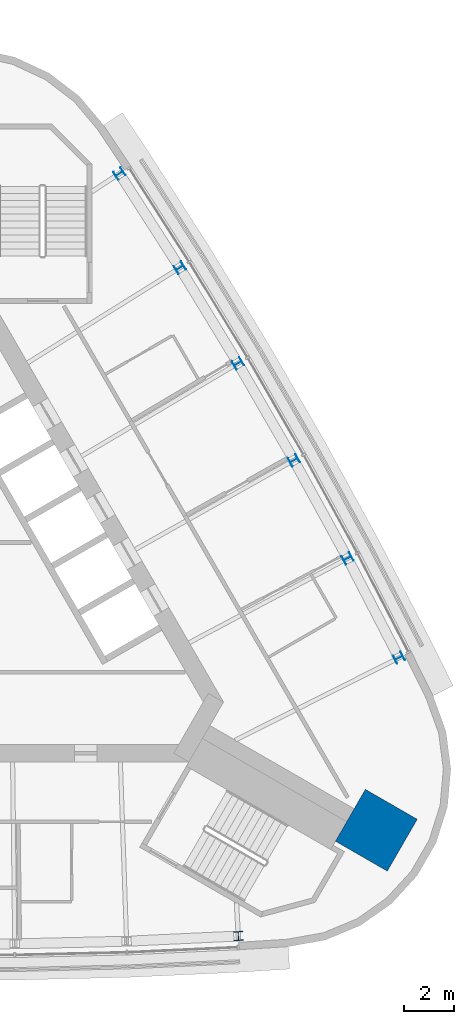
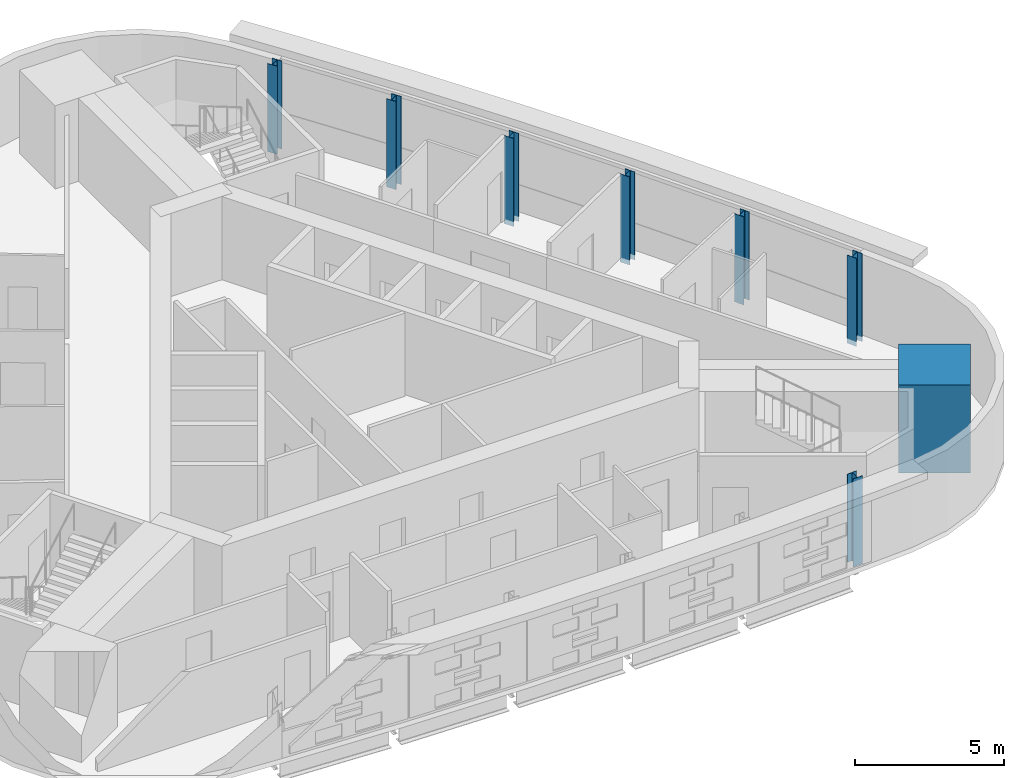
# One storey, part 2 of 13: 8 columns.
"""IFC4 building model written with IfcOpenShell, lengths in metres."""

from ifc_helpers import new_model, si_unit, direction, frame, origin, origin_2d, place, context, subcontext, project, spatial, rectangle, i_section, extrude, material, material_profile, profile_set, type_object, element, save


model = new_model("IFC4")

# Units and contexts
model_context = context("Model", 3, precision=1e-05, world=origin(), true_north=direction((0.0, 1.0)))
body_context = subcontext(model_context, "Body", "Model", "MODEL_VIEW")
ifc_project = project(units=[si_unit("LENGTHUNIT", "METRE"), si_unit("AREAUNIT", "SQUARE_METRE"), si_unit("VOLUMEUNIT", "CUBIC_METRE"), si_unit("PLANEANGLEUNIT", "RADIAN"), si_unit("MASSUNIT", "GRAM", prefix="KILO")], contexts=[model_context])

# Site, building, storey
site_placement = place(None, origin())
site = spatial("IfcSite", under=ifc_project, at=site_placement, CompositionType="ELEMENT")
building_placement = place(site_placement, origin())
building = spatial("IfcBuilding", under=site, at=building_placement, Name="Noor Cloister Tower", CompositionType="ELEMENT")
storey_placement = place(building_placement, frame((0.0, 0.0, 263.39990234375)))
storey = spatial("IfcBuildingStorey", under=building, at=storey_placement, Name="L67", CompositionType="ELEMENT", Elevation=263.39990234375)

# Columns
ifc_material_1 = material(Name="Steel ASTM A992 Gr 50", Category="steel")
ifc_material_profile_1 = material_profile(ifc_material_1, i_section(OverallWidth=0.37109375, OverallDepth=0.361083984375, WebThickness=0.01220703125, FlangeThickness=0.019775390625, FilletRadius=0.015380859375, at=origin_2d()), Name="W360x147")
ifc_profile_set_1 = profile_set([ifc_material_profile_1], Name="Steel ASTM A992 Gr 50")
column_type_1 = type_object("IfcColumnType", Name="Column W360x147", PredefinedType="COLUMN", material=ifc_profile_set_1)
for number, where, z_axis, x_axis, name in (
    (1, (11.2119140625, -13.911376953125, -0.199951171875), (0.0, 0.0, 1.0), (0.998319577082, 0.057948442721, 0.0), "Column S 06 L67"),
    (2, (17.653564453125, -2.75390625, -0.199951171875), (0.0, 0.0, 1.0), (-0.448974965035, 0.893544336209, 0.0), "Column NE 01 L67"),
    (3, (15.592529296875, 1.231689453125, -0.199951171875), (0.0, 0.0, 1.0), (-0.469575774469, 0.882892174635, 0.0), "Column NE 02 L67"),
    (4, (13.439697265625, 5.168701171875, -0.199951171875), (0.0, 0.0, 1.0), (-0.489924016972, 0.87176513901, 0.0), "Column NE 03 L67"),
    (5, (11.196044921875, 9.0546875, -0.199951171875), (0.0, 0.0, 1.0), (-0.51000874803, 0.860169214127, 0.0), "Column NE 04 L67"),
    (6, (8.863037109375, 12.8876953125, -0.199951171875), (0.0, 0.0, 1.0), (-0.529819164802, 0.84811063701, 0.0), "Column NE 05 L67"),
    (7, (6.441650390625, 16.66552734375, -0.199951171875), (0.0, 0.0, 1.0), (-0.549344612048, 0.835595893488, 0.0), "Column NE 06 L67"),
):
    element("IfcColumn", number, at=place(storey_placement, frame(where, z_axis=z_axis, x_axis=x_axis)), inside=storey, type_object=column_type_1, Name=name, PredefinedType="COLUMN", context=body_context, shape_type="SweptSolid", body=[
        extrude(i_section(OverallWidth=0.37109375, OverallDepth=0.361083984375, WebThickness=0.01220703125, FlangeThickness=0.019775390625, FilletRadius=0.015380859375, at=origin_2d()), origin(), (0.0, 0.0, 1.0), 3.60009765625),
    ])
ifc_material_2 = material(Name="Concrete C60/75", Category="concrete")
ifc_material_profile_2 = material_profile(ifc_material_2, rectangle(XDim=2.39990234375, YDim=2.39990234375, at=origin_2d()), Name="RC 2400x2400")
ifc_profile_set_2 = profile_set([ifc_material_profile_2], Name="Concrete C60/75")
column_type_2 = type_object("IfcColumnType", Name="Corner pier 2400 x 2400 C60/75", PredefinedType="COLUMN", material=ifc_profile_set_2)
column_placement = place(storey_placement, frame((16.74462890625, -9.66748046875, -0.199951171875), z_axis=(0.0, 0.0, 1.0), x_axis=(0.866025403784, -0.5, 0.0)))
element("IfcColumn", 8, at=column_placement, inside=storey, type_object=column_type_2, Name="Corner pier SE L67", PredefinedType="COLUMN", context=body_context, shape_type="SweptSolid", body=[
    extrude(rectangle(XDim=2.39990234375, YDim=2.39990234375, at=origin_2d()), origin(), (0.0, 0.0, 1.0), 3.60009765625),
])

save(model, "model.ifc")
